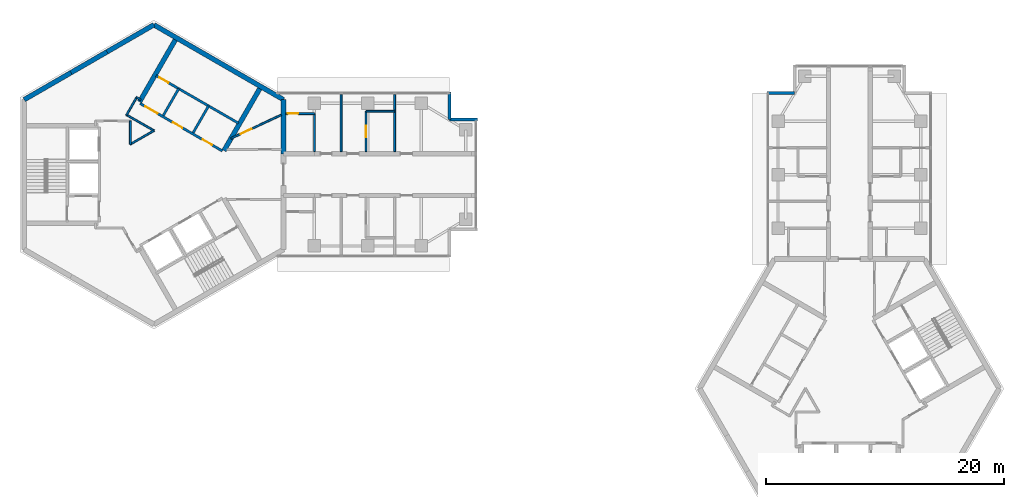
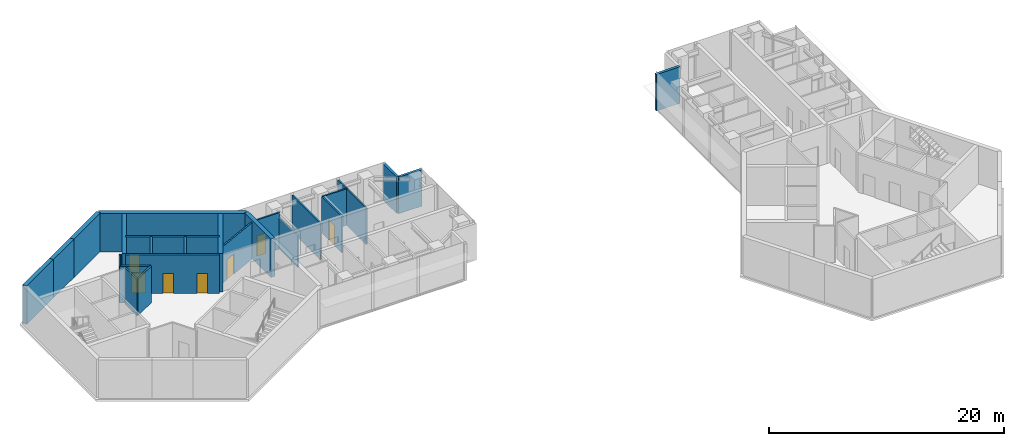
# One storey, part 7 of 11: 26 walls, 7 doors, 7 openings.
"""IFC4 building model written with IfcOpenShell, lengths in metres."""

from ifc_helpers import new_model, si_unit, direction, frame, frame_2d, origin, place, context, subcontext, project, spatial, rectangle, extrude, material, layer, layer_set, type_object, element, fill, save


model = new_model("IFC4")

# Units and contexts
model_context = context("Model", 3, precision=1e-05, world=origin(), true_north=direction((0.0, 1.0)))
body_context = subcontext(model_context, "Body", "Model", "MODEL_VIEW")
ifc_project = project(units=[si_unit("LENGTHUNIT", "METRE"), si_unit("AREAUNIT", "SQUARE_METRE"), si_unit("VOLUMEUNIT", "CUBIC_METRE"), si_unit("PLANEANGLEUNIT", "RADIAN"), si_unit("MASSUNIT", "GRAM", prefix="KILO")], contexts=[model_context])

# Site, building, storey
site_placement = place(None, origin())
site = spatial("IfcSite", under=ifc_project, at=site_placement, CompositionType="ELEMENT")
building_placement = place(site_placement, origin())
building = spatial("IfcBuilding", under=site, at=building_placement, Name="Upepo Twin Towers", CompositionType="ELEMENT")
storey_placement = place(building_placement, frame((0.0, 0.0, 263.5)))
storey = spatial("IfcBuildingStorey", under=building, at=storey_placement, Name="L64", CompositionType="ELEMENT", Elevation=263.5)

# Walls
ifc_material_1 = material(Name="Concrete C60/75", Category="concrete")
ifc_layer_1 = layer(ifc_material_1, 0.39990234375)
ifc_layer_set_1 = layer_set([ifc_layer_1], Name="Concrete C60/75")
wall_type_1 = type_object("IfcWallType", Name="Core wall 400 RC", PredefinedType="SHEAR", material=ifc_layer_set_1)
wall_1_placement = place(storey_placement, frame((10.908447265625, 1.75, 0.0), z_axis=(0.0, 0.0, 1.0), x_axis=(0.0, 1.0, 0.0)))
element("IfcWall", 1, at=wall_1_placement, inside=storey, type_object=wall_type_1, Name="T1 core wall 000 L", PredefinedType="SHEAR", context=body_context, shape_type="SweptSolid", body=[
    extrude(rectangle(XDim=4.5478515625, YDim=0.39990234375, at=frame_2d((2.27392578125, 0.0))), origin(), (0.0, 0.0, 1.0), 4.0),
])
wall_2_placement = place(storey_placement, frame((10.908447265625, 6.2978515625, 0.0), z_axis=(0.0, 0.0, 1.0), x_axis=(-0.866021940709, 0.500005998175, 0.0)))
element("IfcWall", 2, at=wall_2_placement, inside=storey, type_object=wall_type_1, Name="T1 core wall 060", PredefinedType="SHEAR", context=body_context, shape_type="SweptSolid", body=[
    extrude(rectangle(XDim=12.595947265625, YDim=0.39990234375, at=frame_2d((6.2978515625, 0.0))), origin(), (0.0, 0.0, 1.0), 4.0),
])
wall_3_placement = place(storey_placement, frame((0.0, 12.595947265625, 0.0), z_axis=(0.0, 0.0, 1.0), x_axis=(-0.866011268655, -0.500024481964, 0.0)))
element("IfcWall", 3, at=wall_3_placement, inside=storey, type_object=wall_type_1, Name="T1 core wall 120 R", PredefinedType="SHEAR", context=body_context, shape_type="SweptSolid", body=[
    extrude(rectangle(XDim=4.548095703125, YDim=0.39990234375, at=frame_2d((2.27392578125, 0.0))), origin(), (0.0, 0.0, 1.0), 4.0),
])
wall_4_placement = place(storey_placement, frame((-3.938720703125, 10.32177734375, 0.0), z_axis=(0.0, 0.0, 1.0), x_axis=(-0.866019471182, -0.500010275428, 0.0)))
element("IfcWall", 4, at=wall_4_placement, inside=storey, type_object=wall_type_1, Name="T1 core wall 120", PredefinedType="SHEAR", context=body_context, shape_type="SweptSolid", body=[
    extrude(rectangle(XDim=3.5, YDim=0.39990234375, at=frame_2d((1.75, 0.0))), origin(), (0.0, 0.0, 1.0), 4.0),
])
wall_5_placement = place(storey_placement, frame((-6.9697265625, 8.57177734375, 0.0), z_axis=(0.0, 0.0, 1.0), x_axis=(-0.866034513004, -0.499984222037, 0.0)))
element("IfcWall", 5, at=wall_5_placement, inside=storey, type_object=wall_type_1, Name="T1 core wall 120 L", PredefinedType="SHEAR", context=body_context, shape_type="SweptSolid", body=[
    extrude(rectangle(XDim=4.548095703125, YDim=0.39990234375, at=frame_2d((2.27392578125, 0.0))), origin(), (0.0, 0.0, 1.0), 4.0),
])
ifc_material_2 = material(Name="Blockwork with anodised aluminium cladding", Category="masonry")
ifc_layer_2 = layer(ifc_material_2, 0.25)
ifc_layer_set_2 = layer_set([ifc_layer_2], Name="Notch cladding wall 250, pale metal")
wall_type_2 = type_object("IfcWallType", Name="Notch cladding wall 250, pale metal", PredefinedType="STANDARD", material=ifc_layer_set_2)
for number, where, z_axis, x_axis, name in (
    (6, (24.875, 6.949951171875, 0.0), (0.0, 0.0, 1.0), (0.0, -1.0, 0.0), "T1 L64 wing A notch wall L1"),
    (7, (24.875, 4.625, 0.0), (0.0, 0.0, 1.0), (1.0, 0.0, 0.0), "T1 L64 wing A notch wall L2"),
    (8, (51.550048828125, 6.875, 0.0), (0.0, 0.0, 1.0), (1.0, 0.0, 0.0), "T2 L64 wing A notch wall L1"),
):
    element("IfcWall", number, at=place(storey_placement, frame(where, z_axis=z_axis, x_axis=x_axis)), inside=storey, type_object=wall_type_2, Name=name, PredefinedType="STANDARD", context=body_context, shape_type="SweptSolid", body=[
        extrude(rectangle(XDim=2.324951171875, YDim=0.25, at=frame_2d((1.16259765625, 0.0))), origin(), (0.0, 0.0, 1.0), 3.800048828125),
    ])

# Wall, openings, doors
ifc_material_3 = material(Name="Concrete C40/50", Category="concrete")
ifc_layer_3 = layer(ifc_material_3, 0.199951171875)
ifc_layer_set_3 = layer_set([ifc_layer_3], Name="Concrete C40/50")
wall_type_3 = type_object("IfcWallType", Name="Shaft wall 200 RC", PredefinedType="SHEAR", material=ifc_layer_set_3)
wall_6_placement = place(storey_placement, frame((5.76416015625, 1.983642578125, 0.0), z_axis=(0.0, 0.0, 1.0), x_axis=(-0.866026010844, 0.49999894854, 0.0)))
wall_6 = element("IfcWall", 9, at=wall_6_placement, inside=storey, type_object=wall_type_3, Name="T1 core W60 front wall", PredefinedType="SHEAR", context=body_context, shape_type="SweptSolid", body=[
    extrude(rectangle(XDim=8.0, YDim=0.199951171875, at=frame_2d((4.0, 0.0))), origin(), (0.0, 0.0, 1.0), 4.0),
])
opening_1_placement = place(wall_6_placement, frame((6.300048828125, 0.0, 0.0)))
opening_1 = element("IfcOpeningElement", 10, at=opening_1_placement, cuts=wall_6, Name="Opening D4", PredefinedType="OPENING", context=body_context, shape_type="SweptSolid", body=[
    extrude(rectangle(XDim=1.199951171875, YDim=2.10009765625, at=frame_2d((0.60009765625, 1.050048828125))), frame((0.0, 0.10986328125, 0.0), z_axis=(0.0, -1.0, 0.0), x_axis=(1.0, 0.0, 0.0)), (0.0, 0.0, 1.0), 0.219970703125),
])
opening_2_placement = place(wall_6_placement, frame((1.0, 0.0, 0.0)))
opening_2 = element("IfcOpeningElement", 11, at=opening_2_placement, cuts=wall_6, Name="Opening D9", PredefinedType="OPENING", context=body_context, shape_type="SweptSolid", body=[
    extrude(rectangle(XDim=0.89990234375, YDim=2.10009765625, at=frame_2d((0.449951171875, 1.050048828125))), frame((0.0, 0.10986328125, 0.0), z_axis=(0.0, -1.0, 0.0), x_axis=(1.0, 0.0, 0.0)), (0.0, 0.0, 1.0), 0.219970703125),
])
opening_3_placement = place(wall_6_placement, frame((3.89990234375, 0.0, 0.0)))
opening_3 = element("IfcOpeningElement", 12, at=opening_3_placement, cuts=wall_6, Name="Opening D9", PredefinedType="OPENING", context=body_context, shape_type="SweptSolid", body=[
    extrude(rectangle(XDim=0.89990234375, YDim=2.10009765625, at=frame_2d((0.449951171875, 1.050048828125))), frame((0.0, 0.10986328125, 0.0), z_axis=(0.0, -1.0, 0.0), x_axis=(1.0, 0.0, 0.0)), (0.0, 0.0, 1.0), 0.219970703125),
])
ifc_material_4 = material(Name="Timber doorset", Category="wood")
door_type_1 = type_object("IfcDoorType", Name="Lobby door 1200 FD60", OperationType="SINGLE_SWING_LEFT", PredefinedType="DOOR", material=ifc_material_4)
door_1_placement = place(opening_1_placement, origin())
door_1 = element("IfcDoor", 13, at=door_1_placement, inside=storey, type_object=door_type_1, Name="T1 L64 W60 lobby door", OperationType="SINGLE_SWING_RIGHT", OverallHeight=2.10009765625, OverallWidth=1.199951171875, PredefinedType="DOOR", context=body_context, shape_type="SweptSolid", body=[
    extrude(rectangle(XDim=1.199951171875, YDim=2.10009765625, at=frame_2d((0.60009765625, 1.050048828125))), frame((0.0, 0.02490234375, 0.0), z_axis=(0.0, -1.0, 0.0), x_axis=(1.0, 0.0, 0.0)), (0.0, 0.0, 1.0), 0.050048828125),
])
fill(opening_1, door_1)
ifc_material_5 = material(Name="Timber doorset", Category="wood")
door_type_2 = type_object("IfcDoorType", Name="Riser door 900 FD60", OperationType="SINGLE_SWING_LEFT", PredefinedType="DOOR", material=ifc_material_5)
door_2_placement = place(opening_2_placement, origin())
door_2 = element("IfcDoor", 14, at=door_2_placement, inside=storey, type_object=door_type_2, Name="T1 L64 it and communications room door", OperationType="SINGLE_SWING_LEFT", OverallHeight=2.10009765625, OverallWidth=0.89990234375, PredefinedType="DOOR", context=body_context, shape_type="SweptSolid", body=[
    extrude(rectangle(XDim=0.89990234375, YDim=2.10009765625, at=frame_2d((0.449951171875, 1.050048828125))), frame((0.0, 0.02490234375, 0.0), z_axis=(0.0, -1.0, 0.0), x_axis=(1.0, 0.0, 0.0)), (0.0, 0.0, 1.0), 0.050048828125),
])
fill(opening_2, door_2)
door_3_placement = place(opening_3_placement, origin())
door_3 = element("IfcDoor", 15, at=door_3_placement, inside=storey, type_object=door_type_2, Name="T1 L64 furniture store door", OperationType="SINGLE_SWING_RIGHT", OverallHeight=2.10009765625, OverallWidth=0.89990234375, PredefinedType="DOOR", context=body_context, shape_type="SweptSolid", body=[
    extrude(rectangle(XDim=0.89990234375, YDim=2.10009765625, at=frame_2d((0.449951171875, 1.050048828125))), frame((0.0, 0.02490234375, 0.0), z_axis=(0.0, -1.0, 0.0), x_axis=(1.0, 0.0, 0.0)), (0.0, 0.0, 1.0), 0.050048828125),
])
fill(opening_3, door_3)

# Walls
for number, where, z_axis, x_axis, name in (
    (16, (3.302734375, 3.520263671875, 0.0), (0.0, 0.0, 1.0), (0.499936506574, 0.866062058628, 0.0), "T1 core W60 shaft divider"),
    (17, (0.791259765625, 4.97021484375, 0.0), (0.0, 0.0, 1.0), (0.499936506574, 0.866062058628, 0.0), "T1 core W60 lobby wall"),
):
    element("IfcWall", number, at=place(storey_placement, frame(where, z_axis=z_axis, x_axis=x_axis)), inside=storey, type_object=wall_type_3, Name=name, PredefinedType="SHEAR", context=body_context, shape_type="SweptSolid", body=[
        extrude(rectangle(XDim=2.599853515625, YDim=0.199951171875, at=frame_2d((1.2998046875, 0.0))), origin(), (0.0, 0.0, 1.0), 4.0),
    ])

# Wall, opening, door
wall_7_placement = place(storey_placement, frame((7.114013671875, 4.322021484375, 0.0), z_axis=(0.0, 0.0, 1.0), x_axis=(-0.866026010844, 0.49999894854, 0.0)))
wall_7 = element("IfcWall", 18, at=wall_7_placement, inside=storey, type_object=wall_type_3, Name="T1 core W60 stair wall", PredefinedType="SHEAR", context=body_context, shape_type="SweptSolid", body=[
    extrude(rectangle(XDim=8.0, YDim=0.199951171875, at=frame_2d((4.0, 0.0))), origin(), (0.0, 0.0, 1.0), 4.0),
])
opening_4_placement = place(wall_7_placement, frame((6.800048828125, 0.0, 0.0)))
opening_4 = element("IfcOpeningElement", 19, at=opening_4_placement, cuts=wall_7, Name="Opening D9", PredefinedType="OPENING", context=body_context, shape_type="SweptSolid", body=[
    extrude(rectangle(XDim=0.89990234375, YDim=2.10009765625, at=frame_2d((0.449951171875, 1.050048828125))), frame((0.0, 0.10986328125, 0.0), z_axis=(0.0, -1.0, 0.0), x_axis=(1.0, 0.0, 0.0)), (0.0, 0.0, 1.0), 0.219970703125),
])
door_4_placement = place(opening_4_placement, origin())
door_4 = element("IfcDoor", 20, at=door_4_placement, inside=storey, type_object=door_type_2, Name="T1 L64 riser door", OperationType="SINGLE_SWING_RIGHT", OverallHeight=2.10009765625, OverallWidth=0.89990234375, PredefinedType="DOOR", context=body_context, shape_type="SweptSolid", body=[
    extrude(rectangle(XDim=0.89990234375, YDim=2.10009765625, at=frame_2d((0.449951171875, 1.050048828125))), frame((0.0, 0.02490234375, 0.0), z_axis=(0.0, -1.0, 0.0), x_axis=(1.0, 0.0, 0.0)), (0.0, 0.0, 1.0), 0.050048828125),
])
fill(opening_4, door_4)

# Walls
ifc_material_6 = material(Name="Concrete C40/50", Category="concrete")
ifc_layer_4 = layer(ifc_material_6, 0.39990234375)
ifc_layer_set_4 = layer_set([ifc_layer_4], Name="Concrete C40/50")
wall_type_4 = type_object("IfcWallType", Name="Shaft wall 400 RC", PredefinedType="SHEAR", material=ifc_layer_set_4)
for number, where, z_axis, x_axis, name in (
    (21, (-1.20068359375, 6.120361328125, 0.0), (0.0, 0.0, 1.0), (0.499997979876, 0.866026570101, 0.0), "T1 core W60 side wall N"),
    (22, (5.900634765625, 2.020263671875, 0.0), (0.0, 0.0, 1.0), (0.499997979876, 0.866026570101, 0.0), "T1 core W60 side wall S"),
):
    element("IfcWall", number, at=place(storey_placement, frame(where, z_axis=z_axis, x_axis=x_axis)), inside=storey, type_object=wall_type_4, Name=name, PredefinedType="SHEAR", context=body_context, shape_type="SweptSolid", body=[
        extrude(rectangle(XDim=6.00830078125, YDim=0.39990234375, at=frame_2d((3.004150390625, 0.0))), origin(), (0.0, 0.0, 1.0), 4.0),
    ])
ifc_material_7 = material(Name="Gypsum board on steel studs", Category="steel")
ifc_layer_5 = layer(ifc_material_7, 0.14990234375)
ifc_layer_set_5 = layer_set([ifc_layer_5], Name="Teaching partition 150 acoustic")
wall_type_5 = type_object("IfcWallType", Name="Teaching partition 150 acoustic", PredefinedType="PARTITIONING", material=ifc_layer_set_5)
for number, where, z_axis, x_axis, name in (
    (23, (15.75, 1.925048828125, 0.0), (0.0, 0.0, 1.0), (0.0, 1.0, 0.0), "T1 partition AL at 15.75"),
    (24, (20.25, 1.925048828125, 0.0), (0.0, 0.0, 1.0), (0.0, 1.0, 0.0), "T1 partition AL at 20.25"),
):
    element("IfcWall", number, at=place(storey_placement, frame(where, z_axis=z_axis, x_axis=x_axis)), inside=storey, type_object=wall_type_5, Name=name, PredefinedType="PARTITIONING", context=body_context, shape_type="SweptSolid", body=[
        extrude(rectangle(XDim=4.824951171875, YDim=0.14990234375, at=frame_2d((2.41259765625, 0.0))), origin(), (0.0, 0.0, 1.0), 3.800048828125),
    ])
wall_8_placement = place(storey_placement, frame((17.85009765625, 5.324951171875, 0.0), z_axis=(0.0, 0.0, 1.0), x_axis=(1.0, 0.0, 0.0)))
element("IfcWall", 25, at=wall_8_placement, inside=storey, type_object=wall_type_5, Name="T1 inner room partition AL at 17.85", PredefinedType="PARTITIONING", context=body_context, shape_type="SweptSolid", body=[
    extrude(rectangle(XDim=2.39990234375, YDim=0.14990234375, at=frame_2d((1.199951171875, 0.0))), origin(), (0.0, 0.0, 1.0), 3.800048828125),
])

# Wall, opening, door
wall_9_placement = place(storey_placement, frame((17.85009765625, 1.925048828125, 0.0), z_axis=(0.0, 0.0, 1.0), x_axis=(0.0, 1.0, 0.0)))
wall_9 = element("IfcWall", 26, at=wall_9_placement, inside=storey, type_object=wall_type_5, Name="T1 inner room partition AL end at 17.85", PredefinedType="PARTITIONING", context=body_context, shape_type="SweptSolid", body=[
    extrude(rectangle(XDim=3.39990234375, YDim=0.14990234375, at=frame_2d((1.699951171875, 0.0))), origin(), (0.0, 0.0, 1.0), 3.800048828125),
])
opening_5_placement = place(wall_9_placement, frame((1.199951171875, 0.0, 0.0)))
opening_5 = element("IfcOpeningElement", 27, at=opening_5_placement, cuts=wall_9, Name="Opening D1", PredefinedType="OPENING", context=body_context, shape_type="SweptSolid", body=[
    extrude(rectangle(XDim=1.0, YDim=2.10009765625, at=frame_2d((0.5, 1.050048828125))), frame((0.0, 0.0849609375, 0.0), z_axis=(0.0, -1.0, 0.0), x_axis=(1.0, 0.0, 0.0)), (0.0, 0.0, 1.0), 0.169921875),
])
ifc_material_8 = material(Name="Timber doorset", Category="wood")
door_type_3 = type_object("IfcDoorType", Name="Room door 1000 FD30", OperationType="SINGLE_SWING_LEFT", PredefinedType="DOOR", material=ifc_material_8)
door_5_placement = place(opening_5_placement, origin())
door_5 = element("IfcDoor", 28, at=door_5_placement, inside=storey, type_object=door_type_3, Name="T1 L64 inner room door", OperationType="SINGLE_SWING_LEFT", OverallHeight=2.10009765625, OverallWidth=1.0, PredefinedType="DOOR", context=body_context, shape_type="SweptSolid", body=[
    extrude(rectangle(XDim=1.0, YDim=2.10009765625, at=frame_2d((0.5, 1.050048828125))), frame((0.0, 0.02490234375, 0.0), z_axis=(0.0, -1.0, 0.0), x_axis=(1.0, 0.0, 0.0)), (0.0, 0.0, 1.0), 0.050048828125),
])
fill(opening_5, door_5)

wall_10_placement = place(storey_placement, frame((11.10791015625, 5.125, 0.0), z_axis=(0.0, 0.0, 1.0), x_axis=(1.0, 0.0, 0.0)))
wall_10 = element("IfcWall", 29, at=wall_10_placement, inside=storey, type_object=wall_type_5, Name="T1 WC bay partition AL at 11.11", PredefinedType="PARTITIONING", context=body_context, shape_type="SweptSolid", body=[
    extrude(rectangle(XDim=2.400146484375, YDim=0.14990234375, at=frame_2d((1.2001953125, 0.0))), origin(), (0.0, 0.0, 1.0), 3.800048828125),
])
opening_6_placement = place(wall_10_placement, frame((0.14990234375, 0.0, 0.0)))
opening_6 = element("IfcOpeningElement", 30, at=opening_6_placement, cuts=wall_10, Name="Opening D14", PredefinedType="OPENING", context=body_context, shape_type="SweptSolid", body=[
    extrude(rectangle(XDim=0.89990234375, YDim=2.10009765625, at=frame_2d((0.449951171875, 1.050048828125))), frame((0.0, 0.0849609375, 0.0), z_axis=(0.0, -1.0, 0.0), x_axis=(1.0, 0.0, 0.0)), (0.0, 0.0, 1.0), 0.169921875),
])
ifc_material_9 = material(Name="Timber doorset", Category="wood")
door_type_4 = type_object("IfcDoorType", Name="Office door 900 FD30", OperationType="SINGLE_SWING_LEFT", PredefinedType="DOOR", material=ifc_material_9)
door_6_placement = place(opening_6_placement, origin())
door_6 = element("IfcDoor", 31, at=door_6_placement, inside=storey, type_object=door_type_4, Name="T1 L64 WC bay inner room door", OperationType="SINGLE_SWING_LEFT", OverallHeight=2.10009765625, OverallWidth=0.89990234375, PredefinedType="DOOR", context=body_context, shape_type="SweptSolid", body=[
    extrude(rectangle(XDim=0.89990234375, YDim=2.10009765625, at=frame_2d((0.449951171875, 1.050048828125))), frame((0.0, 0.02490234375, 0.0), z_axis=(0.0, -1.0, 0.0), x_axis=(1.0, 0.0, 0.0)), (0.0, 0.0, 1.0), 0.050048828125),
])
fill(opening_6, door_6)

# Walls
wall_11_placement = place(storey_placement, frame((13.508056640625, 1.925048828125, 0.0), z_axis=(0.0, 0.0, 1.0), x_axis=(0.0, 1.0, 0.0)))
element("IfcWall", 32, at=wall_11_placement, inside=storey, type_object=wall_type_5, Name="T1 WC bay partition AL end at 13.51", PredefinedType="PARTITIONING", context=body_context, shape_type="SweptSolid", body=[
    extrude(rectangle(XDim=3.199951171875, YDim=0.14990234375, at=frame_2d((1.60009765625, 0.0))), origin(), (0.0, 0.0, 1.0), 3.266845703125),
])
wall_12_placement = place(storey_placement, frame((-1.97509765625, 4.52001953125, 0.0), z_axis=(0.0, 0.0, 1.0), x_axis=(0.0, -1.0, 0.0)))
element("IfcWall", 33, at=wall_12_placement, inside=storey, type_object=wall_type_5, Name="T1 core room partition 6", PredefinedType="PARTITIONING", context=body_context, shape_type="SweptSolid", body=[
    extrude(rectangle(XDim=1.985107421875, YDim=0.14990234375, at=frame_2d((0.99267578125, 0.0))), origin(), (0.0, 0.0, 1.0), 3.800048828125),
])
wall_13_placement = place(storey_placement, frame((-1.992431640625, 2.544921875, 0.0), z_axis=(0.0, 0.0, 1.0), x_axis=(0.866059450854, 0.499941024108, 0.0)))
element("IfcWall", 34, at=wall_13_placement, inside=storey, type_object=wall_type_5, Name="T1 core room partition 7", PredefinedType="PARTITIONING", context=body_context, shape_type="SweptSolid", body=[
    extrude(rectangle(XDim=2.320556640625, YDim=0.14990234375, at=frame_2d((1.16015625, 0.0))), origin(), (0.0, 0.0, 1.0), 3.800048828125),
])
wall_14_placement = place(storey_placement, frame((0.017333984375, 3.68505859375, 0.0), z_axis=(0.0, 0.0, 1.0), x_axis=(-0.866036099759, 0.499981473571, 0.0)))
element("IfcWall", 35, at=wall_14_placement, inside=storey, type_object=wall_type_5, Name="T1 core room partition 8", PredefinedType="PARTITIONING", context=body_context, shape_type="SweptSolid", body=[
    extrude(rectangle(XDim=2.6923828125, YDim=0.14990234375, at=frame_2d((1.34619140625, 0.0))), origin(), (0.0, 0.0, 1.0), 3.800048828125),
])
wall_15_placement = place(storey_placement, frame((-2.30712890625, 5.00390625, 0.0), z_axis=(0.0, 0.0, 1.0), x_axis=(0.500062521093, 0.865989304205, 0.0)))
element("IfcWall", 36, at=wall_15_placement, inside=storey, type_object=wall_type_5, Name="T1 core room partition 9", PredefinedType="PARTITIONING", context=body_context, shape_type="SweptSolid", body=[
    extrude(rectangle(XDim=1.739990234375, YDim=0.14990234375, at=frame_2d((0.8701171875, 0.0))), origin(), (0.0, 0.0, 1.0), 3.800048828125),
])
wall_16_placement = place(storey_placement, frame((-1.46435546875, 6.50341796875, 0.0), z_axis=(0.0, 0.0, 1.0), x_axis=(0.866138304741, -0.499804398801, 0.0)))
element("IfcWall", 37, at=wall_16_placement, inside=storey, type_object=wall_type_5, Name="T1 core room partition 10", PredefinedType="PARTITIONING", context=body_context, shape_type="SweptSolid", body=[
    extrude(rectangle(XDim=0.429931640625, YDim=0.14990234375, at=frame_2d((0.21484375, 0.0))), origin(), (0.0, 0.0, 1.0), 3.800048828125),
])

# Wall, opening, door
wall_17_placement = place(storey_placement, frame((6.4892578125, 3.039794921875, 0.0), z_axis=(0.0, 0.0, 1.0), x_axis=(0.905569039007, 0.424198910408, 0.0)))
wall_17 = element("IfcWall", 38, at=wall_17_placement, inside=storey, type_object=wall_type_5, Name="T1 core room partition 14", PredefinedType="PARTITIONING", context=body_context, shape_type="SweptSolid", body=[
    extrude(rectangle(XDim=4.658935546875, YDim=0.14990234375, at=frame_2d((2.32958984375, 0.0))), origin(), (0.0, 0.0, 1.0), 3.800048828125),
])
opening_7_placement = place(wall_17_placement, frame((0.897705078125, 0.0, 0.0)))
opening_7 = element("IfcOpeningElement", 39, at=opening_7_placement, cuts=wall_17, Name="Opening D1", PredefinedType="OPENING", context=body_context, shape_type="SweptSolid", body=[
    extrude(rectangle(XDim=1.0, YDim=2.10009765625, at=frame_2d((0.5, 1.050048828125))), frame((0.0, 0.0849609375, 0.0), z_axis=(0.0, -1.0, 0.0), x_axis=(1.0, 0.0, 0.0)), (0.0, 0.0, 1.0), 0.169921875),
])
door_7_placement = place(opening_7_placement, origin())
door_7 = element("IfcDoor", 40, at=door_7_placement, inside=storey, type_object=door_type_3, Name="T1 L64 core room door K3", OperationType="SINGLE_SWING_LEFT", OverallHeight=2.10009765625, OverallWidth=1.0, PredefinedType="DOOR", context=body_context, shape_type="SweptSolid", body=[
    extrude(rectangle(XDim=1.0, YDim=2.10009765625, at=frame_2d((0.5, 1.050048828125))), frame((0.0, 0.02490234375, 0.0), z_axis=(0.0, -1.0, 0.0), x_axis=(1.0, 0.0, 0.0)), (0.0, 0.0, 1.0), 0.050048828125),
])
fill(opening_7, door_7)

save(model, "model.ifc")
